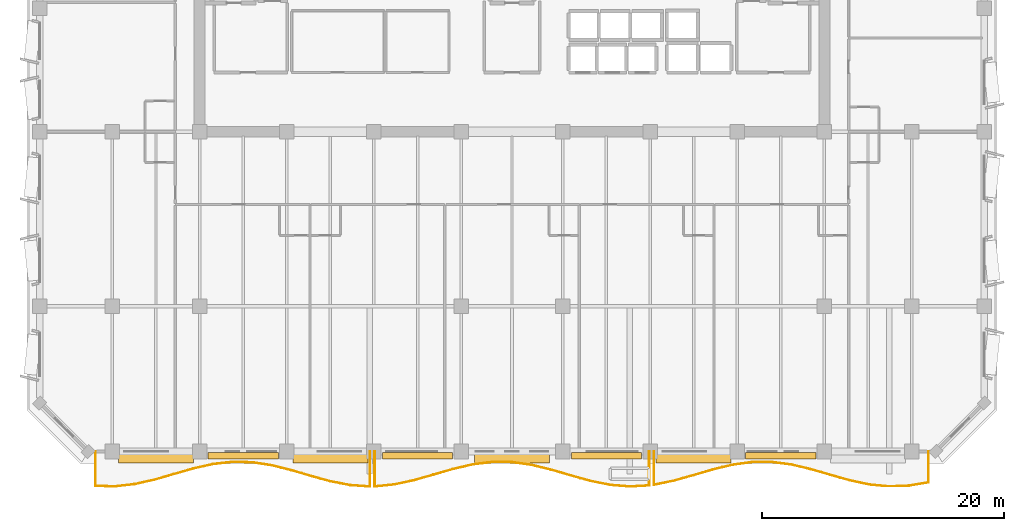
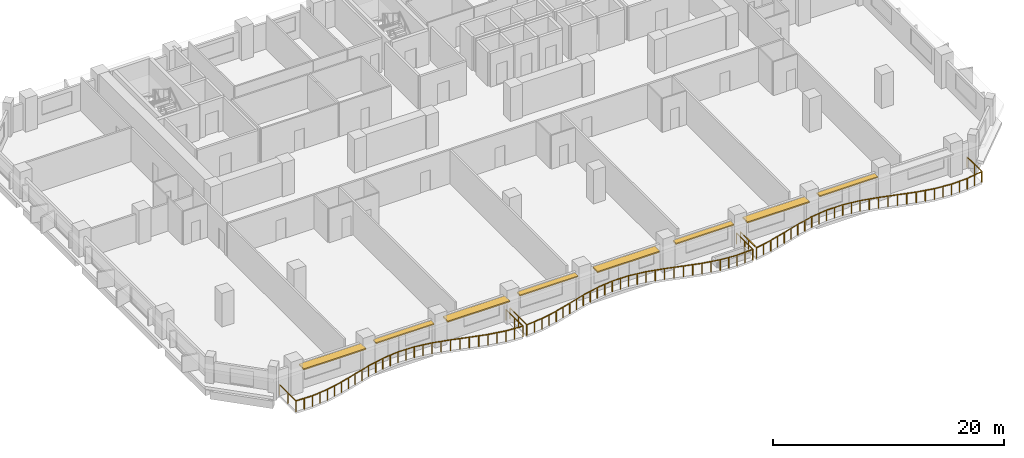
# One storey, part 10 of 14: 8 shading devices, 3 railings.
"""IFC4 building model written with IfcOpenShell, lengths in metres."""

from ifc_helpers import new_model, si_unit, direction, frame, origin, origin_2d, place, context, subcontext, project, spatial, rectangle, extrude, material, layer, layer_set, type_object, element, save


model = new_model("IFC4")

# Units and contexts
model_context = context("Model", 3, precision=1e-05, world=origin(), true_north=direction((0.0, 1.0)))
body_context = subcontext(model_context, "Body", "Model", "MODEL_VIEW")
ifc_project = project(units=[si_unit("LENGTHUNIT", "METRE"), si_unit("AREAUNIT", "SQUARE_METRE"), si_unit("VOLUMEUNIT", "CUBIC_METRE"), si_unit("PLANEANGLEUNIT", "RADIAN"), si_unit("MASSUNIT", "GRAM", prefix="KILO")], contexts=[model_context])

# Site, building, storey
site_placement = place(None, origin())
site = spatial("IfcSite", under=ifc_project, at=site_placement, CompositionType="ELEMENT")
building_placement = place(site_placement, origin())
building = spatial("IfcBuilding", under=site, at=building_placement, Name="Kaelvorn Grand Hotel", CompositionType="ELEMENT")
storey_placement = place(building_placement, frame((0.0, 0.0, 201.550048828125)))
storey = spatial("IfcBuildingStorey", under=building, at=storey_placement, Name="L49", CompositionType="ELEMENT", Elevation=201.550048828125)

# Railings
ifc_material_1 = material(Name="Stainless Steel", Category="steel")
railing_type = type_object("IfcRailingType", Name="RL-BALC-1150", PredefinedType="BALUSTRADE", material=ifc_material_1)
railing_1_placement = place(storey_placement, frame((7.60009765625, 3.0, 0.0)))
element("IfcRailing", 1, at=railing_1_placement, inside=storey, type_object=railing_type, Name="L49 Scalloped Wave Balcony Balustrade GR1-1", PredefinedType="BALUSTRADE", context=body_context, shape_type="SweptSolid", body=[
    extrude(rectangle(XDim=0.048095703125, YDim=0.048095703125, at=origin_2d()), frame((0.0, 0.0, 1.1259765625), z_axis=(0.0, -1.0, 0.0), x_axis=(1.0, 0.0, 0.0)), (0.0, 0.0, 1.0), 2.849853515625),
    extrude(rectangle(XDim=0.048095703125, YDim=0.048095703125, at=origin_2d()), frame((0.0, -2.849853515625, 1.1259765625), z_axis=(0.999730426156, -0.023217989086, 0.0), x_axis=(0.023217989086, 0.999730426156, 0.0)), (0.0, 0.0, 1.0), 1.619384765625),
    extrude(rectangle(XDim=0.048095703125, YDim=0.048095703125, at=origin_2d()), frame((1.618896484375, -2.887451171875, 1.1259765625), z_axis=(0.993682951912, 0.112223843634, 0.0), x_axis=(-0.112223843634, 0.993682951912, 0.0)), (0.0, 0.0, 1.0), 1.62939453125),
    extrude(rectangle(XDim=0.048095703125, YDim=0.048095703125, at=origin_2d()), frame((3.238037109375, -2.70458984375, 1.1259765625), z_axis=(0.975703414812, 0.219095518723, 0.0), x_axis=(-0.219095518723, 0.975703414812, 0.0)), (0.0, 0.0, 1.0), 1.6591796875),
    extrude(rectangle(XDim=0.048095703125, YDim=0.048095703125, at=origin_2d()), frame((4.85693359375, -2.341064453125, 1.1259765625), z_axis=(0.961173148549, 0.275945970271, 0.0), x_axis=(-0.275945970271, 0.961173148549, 0.0)), (0.0, 0.0, 1.0), 1.6845703125),
    extrude(rectangle(XDim=0.048095703125, YDim=0.048095703125, at=origin_2d()), frame((6.47607421875, -1.876220703125, 1.1259765625), z_axis=(0.961096237506, 0.276213725676, 0.0), x_axis=(-0.276213725676, 0.961096237506, 0.0)), (0.0, 0.0, 1.0), 1.6845703125),
    extrude(rectangle(XDim=0.048095703125, YDim=0.048095703125, at=origin_2d()), frame((8.09521484375, -1.410888671875, 1.1259765625), z_axis=(0.975640468592, 0.219375650531, 0.0), x_axis=(-0.219375650531, 0.975640468592, 0.0)), (0.0, 0.0, 1.0), 1.659423828125),
    extrude(rectangle(XDim=0.048095703125, YDim=0.048095703125, at=origin_2d()), frame((9.714111328125, -1.046875, 1.1259765625), z_axis=(0.993615946407, 0.112815562069, 0.0), x_axis=(-0.112815562069, 0.993615946407, 0.0)), (0.0, 0.0, 1.0), 1.629638671875),
    extrude(rectangle(XDim=0.048095703125, YDim=0.048095703125, at=origin_2d()), frame((11.333251953125, -0.863037109375, 1.1259765625), z_axis=(0.999747716334, -0.022461159489, 0.0), x_axis=(0.022461159489, 0.999747716334, 0.0)), (0.0, 0.0, 1.0), 1.61962890625),
    extrude(rectangle(XDim=0.048095703125, YDim=0.048095703125, at=origin_2d()), frame((12.952392578125, -0.8994140625, 1.1259765625), z_axis=(0.988375143725, -0.152034783079, 0.0), x_axis=(0.152034783079, 0.988375143725, 0.0)), (0.0, 0.0, 1.0), 1.637939453125),
    extrude(rectangle(XDim=0.048095703125, YDim=0.048095703125, at=origin_2d()), frame((14.5712890625, -1.1484375, 1.1259765625), z_axis=(0.969797453299, -0.243911663465, 0.0), x_axis=(0.243911663465, 0.969797453299, 0.0)), (0.0, 0.0, 1.0), 1.669677734375),
    extrude(rectangle(XDim=0.048095703125, YDim=0.048095703125, at=origin_2d()), frame((16.1904296875, -1.5556640625, 1.1259765625), z_axis=(0.959298669037, -0.28239345528, 0.0), x_axis=(0.28239345528, 0.959298669037, 0.0)), (0.0, 0.0, 1.0), 1.6875),
    extrude(rectangle(XDim=0.048095703125, YDim=0.048095703125, at=origin_2d()), frame((17.809326171875, -2.0322265625, 1.1259765625), z_axis=(0.964642881797, -0.26356044961, 0.0), x_axis=(0.26356044961, 0.964642881797, 0.0)), (0.0, 0.0, 1.0), 1.678466796875),
    extrude(rectangle(XDim=0.048095703125, YDim=0.048095703125, at=origin_2d()), frame((19.428466796875, -2.474609375, 1.1259765625), z_axis=(0.981934563665, -0.189220804036, 0.0), x_axis=(0.189220804036, 0.981934563665, 0.0)), (0.0, 0.0, 1.0), 1.64892578125),
    extrude(rectangle(XDim=0.048095703125, YDim=0.048095703125, at=origin_2d()), frame((21.047607421875, -2.78662109375, 1.1259765625), z_axis=(0.997560748311, -0.069803677758, 0.0), x_axis=(0.069803677758, 0.997560748311, 0.0)), (0.0, 0.0, 1.0), 1.622802734375),
    extrude(rectangle(XDim=0.048095703125, YDim=0.048095703125, at=origin_2d()), frame((22.66650390625, -2.89990234375, 1.1259765625), z_axis=(0.0, 1.0, 0.0), x_axis=(-1.0, 0.0, 0.0)), (0.0, 0.0, 1.0), 2.89990234375),
    extrude(rectangle(XDim=0.0419921875, YDim=0.0419921875, at=origin_2d()), origin(), (0.0, 0.0, 1.0), 1.101806640625),
    extrude(rectangle(XDim=0.0419921875, YDim=0.0419921875, at=origin_2d()), frame((0.0, -1.4248046875, 0.0)), (0.0, 0.0, 1.0), 1.101806640625),
    extrude(rectangle(XDim=0.0419921875, YDim=0.0419921875, at=origin_2d()), frame((0.0, -2.849853515625, 0.0)), (0.0, 0.0, 1.0), 1.101806640625),
    extrude(rectangle(XDim=0.0419921875, YDim=0.0419921875, at=origin_2d()), frame((0.8095703125, -2.86865234375, 0.0)), (0.0, 0.0, 1.0), 1.101806640625),
    extrude(rectangle(XDim=0.0419921875, YDim=0.0419921875, at=origin_2d()), frame((1.618896484375, -2.887451171875, 0.0)), (0.0, 0.0, 1.0), 1.101806640625),
    extrude(rectangle(XDim=0.0419921875, YDim=0.0419921875, at=origin_2d()), frame((2.428466796875, -2.7958984375, 0.0)), (0.0, 0.0, 1.0), 1.101806640625),
    extrude(rectangle(XDim=0.0419921875, YDim=0.0419921875, at=origin_2d()), frame((3.238037109375, -2.70458984375, 0.0)), (0.0, 0.0, 1.0), 1.101806640625),
    extrude(rectangle(XDim=0.0419921875, YDim=0.0419921875, at=origin_2d()), frame((4.04736328125, -2.52294921875, 0.0)), (0.0, 0.0, 1.0), 1.101806640625),
    extrude(rectangle(XDim=0.0419921875, YDim=0.0419921875, at=origin_2d()), frame((4.85693359375, -2.341064453125, 0.0)), (0.0, 0.0, 1.0), 1.101806640625),
    extrude(rectangle(XDim=0.0419921875, YDim=0.0419921875, at=origin_2d()), frame((5.66650390625, -2.108642578125, 0.0)), (0.0, 0.0, 1.0), 1.101806640625),
    extrude(rectangle(XDim=0.0419921875, YDim=0.0419921875, at=origin_2d()), frame((6.47607421875, -1.876220703125, 0.0)), (0.0, 0.0, 1.0), 1.101806640625),
    extrude(rectangle(XDim=0.0419921875, YDim=0.0419921875, at=origin_2d()), frame((7.28564453125, -1.6435546875, 0.0)), (0.0, 0.0, 1.0), 1.101806640625),
    extrude(rectangle(XDim=0.0419921875, YDim=0.0419921875, at=origin_2d()), frame((8.09521484375, -1.410888671875, 0.0)), (0.0, 0.0, 1.0), 1.101806640625),
    extrude(rectangle(XDim=0.0419921875, YDim=0.0419921875, at=origin_2d()), frame((8.90478515625, -1.22900390625, 0.0)), (0.0, 0.0, 1.0), 1.101806640625),
    extrude(rectangle(XDim=0.0419921875, YDim=0.0419921875, at=origin_2d()), frame((9.714111328125, -1.046875, 0.0)), (0.0, 0.0, 1.0), 1.101806640625),
    extrude(rectangle(XDim=0.0419921875, YDim=0.0419921875, at=origin_2d()), frame((10.523681640625, -0.955078125, 0.0)), (0.0, 0.0, 1.0), 1.101806640625),
    extrude(rectangle(XDim=0.0419921875, YDim=0.0419921875, at=origin_2d()), frame((11.333251953125, -0.863037109375, 0.0)), (0.0, 0.0, 1.0), 1.101806640625),
    extrude(rectangle(XDim=0.0419921875, YDim=0.0419921875, at=origin_2d()), frame((12.142822265625, -0.88134765625, 0.0)), (0.0, 0.0, 1.0), 1.101806640625),
    extrude(rectangle(XDim=0.0419921875, YDim=0.0419921875, at=origin_2d()), frame((12.952392578125, -0.8994140625, 0.0)), (0.0, 0.0, 1.0), 1.101806640625),
    extrude(rectangle(XDim=0.0419921875, YDim=0.0419921875, at=origin_2d()), frame((13.76171875, -1.02392578125, 0.0)), (0.0, 0.0, 1.0), 1.101806640625),
    extrude(rectangle(XDim=0.0419921875, YDim=0.0419921875, at=origin_2d()), frame((14.5712890625, -1.1484375, 0.0)), (0.0, 0.0, 1.0), 1.101806640625),
    extrude(rectangle(XDim=0.0419921875, YDim=0.0419921875, at=origin_2d()), frame((15.380859375, -1.35205078125, 0.0)), (0.0, 0.0, 1.0), 1.101806640625),
    extrude(rectangle(XDim=0.0419921875, YDim=0.0419921875, at=origin_2d()), frame((16.1904296875, -1.5556640625, 0.0)), (0.0, 0.0, 1.0), 1.101806640625),
    extrude(rectangle(XDim=0.0419921875, YDim=0.0419921875, at=origin_2d()), frame((17.0, -1.7939453125, 0.0)), (0.0, 0.0, 1.0), 1.101806640625),
    extrude(rectangle(XDim=0.0419921875, YDim=0.0419921875, at=origin_2d()), frame((17.809326171875, -2.0322265625, 0.0)), (0.0, 0.0, 1.0), 1.101806640625),
    extrude(rectangle(XDim=0.0419921875, YDim=0.0419921875, at=origin_2d()), frame((18.618896484375, -2.25341796875, 0.0)), (0.0, 0.0, 1.0), 1.101806640625),
    extrude(rectangle(XDim=0.0419921875, YDim=0.0419921875, at=origin_2d()), frame((19.428466796875, -2.474609375, 0.0)), (0.0, 0.0, 1.0), 1.101806640625),
    extrude(rectangle(XDim=0.0419921875, YDim=0.0419921875, at=origin_2d()), frame((20.238037109375, -2.630615234375, 0.0)), (0.0, 0.0, 1.0), 1.101806640625),
    extrude(rectangle(XDim=0.0419921875, YDim=0.0419921875, at=origin_2d()), frame((21.047607421875, -2.78662109375, 0.0)), (0.0, 0.0, 1.0), 1.101806640625),
    extrude(rectangle(XDim=0.0419921875, YDim=0.0419921875, at=origin_2d()), frame((21.85693359375, -2.84326171875, 0.0)), (0.0, 0.0, 1.0), 1.101806640625),
    extrude(rectangle(XDim=0.0419921875, YDim=0.0419921875, at=origin_2d()), frame((22.66650390625, -2.89990234375, 0.0)), (0.0, 0.0, 1.0), 1.101806640625),
    extrude(rectangle(XDim=0.0419921875, YDim=0.0419921875, at=origin_2d()), frame((22.66650390625, -1.449951171875, 0.0)), (0.0, 0.0, 1.0), 1.101806640625),
    extrude(rectangle(XDim=0.0419921875, YDim=0.0419921875, at=origin_2d()), frame((22.66650390625, 0.0, 0.0)), (0.0, 0.0, 1.0), 1.101806640625),
])
railing_2_placement = place(storey_placement, frame((30.666748046875, 3.0, 0.0)))
element("IfcRailing", 2, at=railing_2_placement, inside=storey, type_object=railing_type, Name="L49 Scalloped Wave Balcony Balustrade GR1-2", PredefinedType="BALUSTRADE", context=body_context, shape_type="SweptSolid", body=[
    extrude(rectangle(XDim=0.048095703125, YDim=0.048095703125, at=origin_2d()), frame((0.0, 0.0, 1.1259765625), z_axis=(0.0, -1.0, 0.0), x_axis=(1.0, 0.0, 0.0)), (0.0, 0.0, 1.0), 2.8935546875),
    extrude(rectangle(XDim=0.048095703125, YDim=0.048095703125, at=origin_2d()), frame((0.0, -2.8935546875, 1.1259765625), z_axis=(0.994964128671, 0.100231644994, 0.0), x_axis=(-0.100231644994, 0.994964128671, 0.0)), (0.0, 0.0, 1.0), 1.627197265625),
    extrude(rectangle(XDim=0.048095703125, YDim=0.048095703125, at=origin_2d()), frame((1.618896484375, -2.73046875, 1.1259765625), z_axis=(0.977503767455, 0.210917957061, 0.0), x_axis=(-0.210917957061, 0.977503767455, 0.0)), (0.0, 0.0, 1.0), 1.656494140625),
    extrude(rectangle(XDim=0.048095703125, YDim=0.048095703125, at=origin_2d()), frame((3.238037109375, -2.381103515625, 1.1259765625), z_axis=(0.962015046514, 0.272996429062, 0.0), x_axis=(-0.272996429062, 0.962015046514, 0.0)), (0.0, 0.0, 1.0), 1.68310546875),
    extrude(rectangle(XDim=0.048095703125, YDim=0.048095703125, at=origin_2d()), frame((4.857177734375, -1.921630859375, 1.1259765625), z_axis=(0.960389998509, 0.278659381259, 0.0), x_axis=(-0.278659381259, 0.960389998509, 0.0)), (0.0, 0.0, 1.0), 1.685546875),
    extrude(rectangle(XDim=0.048095703125, YDim=0.048095703125, at=origin_2d()), frame((6.47607421875, -1.451904296875, 1.1259765625), z_axis=(0.97385637145, 0.227164627056, 0.0), x_axis=(-0.227164627056, 0.97385637145, 0.0)), (0.0, 0.0, 1.0), 1.66259765625),
    extrude(rectangle(XDim=0.048095703125, YDim=0.048095703125, at=origin_2d()), frame((8.09521484375, -1.07421875, 1.1259765625), z_axis=(0.992220218526, 0.124495132229, 0.0), x_axis=(-0.124495132229, 0.992220218526, 0.0)), (0.0, 0.0, 1.0), 1.631591796875),
    extrude(rectangle(XDim=0.048095703125, YDim=0.048095703125, at=origin_2d()), frame((9.714111328125, -0.87109375, 1.1259765625), z_axis=(0.999954883783, -0.009498968287, 0.0), x_axis=(0.009498968287, 0.999954883783, 0.0)), (0.0, 0.0, 1.0), 1.619140625),
    extrude(rectangle(XDim=0.048095703125, YDim=0.048095703125, at=origin_2d()), frame((11.333251953125, -0.886474609375, 1.1259765625), z_axis=(0.990000183839, -0.141066069621, 0.0), x_axis=(0.141066069621, 0.990000183839, 0.0)), (0.0, 0.0, 1.0), 1.635498046875),
    extrude(rectangle(XDim=0.048095703125, YDim=0.048095703125, at=origin_2d()), frame((12.952392578125, -1.1171875, 1.1259765625), z_axis=(0.971429786171, -0.237327138229, 0.0), x_axis=(0.237327138229, 0.971429786171, 0.0)), (0.0, 0.0, 1.0), 1.66650390625),
    extrude(rectangle(XDim=0.048095703125, YDim=0.048095703125, at=origin_2d()), frame((14.5712890625, -1.5126953125, 1.1259765625), z_axis=(0.959623156728, -0.281288814337, 0.0), x_axis=(0.281288814337, 0.959623156728, 0.0)), (0.0, 0.0, 1.0), 1.687255859375),
    extrude(rectangle(XDim=0.048095703125, YDim=0.048095703125, at=origin_2d()), frame((16.1904296875, -1.9873046875, 1.1259765625), z_axis=(0.963478347778, -0.267786245657, 0.0), x_axis=(0.267786245657, 0.963478347778, 0.0)), (0.0, 0.0, 1.0), 1.68017578125),
    extrude(rectangle(XDim=0.048095703125, YDim=0.048095703125, at=origin_2d()), frame((17.809326171875, -2.437255859375, 1.1259765625), z_axis=(0.980134803691, -0.1983324648, 0.0), x_axis=(0.1983324648, 0.980134803691, 0.0)), (0.0, 0.0, 1.0), 1.65185546875),
    extrude(rectangle(XDim=0.048095703125, YDim=0.048095703125, at=origin_2d()), frame((19.428466796875, -2.764892578125, 1.1259765625), z_axis=(0.996591207216, -0.082498276954, 0.0), x_axis=(0.082498276954, 0.996591207216, 0.0)), (0.0, 0.0, 1.0), 1.624755859375),
    extrude(rectangle(XDim=0.048095703125, YDim=0.048095703125, at=origin_2d()), frame((21.047607421875, -2.89892578125, 1.1259765625), z_axis=(0.998488486101, 0.054961287502, 0.0), x_axis=(-0.054961287502, 0.998488486101, 0.0)), (0.0, 0.0, 1.0), 1.621337890625),
    extrude(rectangle(XDim=0.048095703125, YDim=0.048095703125, at=origin_2d()), frame((22.66650390625, -2.809814453125, 1.1259765625), z_axis=(0.0, 1.0, 0.0), x_axis=(-1.0, 0.0, 0.0)), (0.0, 0.0, 1.0), 2.809814453125),
    extrude(rectangle(XDim=0.0419921875, YDim=0.0419921875, at=origin_2d()), origin(), (0.0, 0.0, 1.0), 1.101806640625),
    extrude(rectangle(XDim=0.0419921875, YDim=0.0419921875, at=origin_2d()), frame((0.0, -1.44677734375, 0.0)), (0.0, 0.0, 1.0), 1.101806640625),
    extrude(rectangle(XDim=0.0419921875, YDim=0.0419921875, at=origin_2d()), frame((0.0, -2.8935546875, 0.0)), (0.0, 0.0, 1.0), 1.101806640625),
    extrude(rectangle(XDim=0.0419921875, YDim=0.0419921875, at=origin_2d()), frame((0.8095703125, -2.81201171875, 0.0)), (0.0, 0.0, 1.0), 1.101806640625),
    extrude(rectangle(XDim=0.0419921875, YDim=0.0419921875, at=origin_2d()), frame((1.618896484375, -2.73046875, 0.0)), (0.0, 0.0, 1.0), 1.101806640625),
    extrude(rectangle(XDim=0.0419921875, YDim=0.0419921875, at=origin_2d()), frame((2.428466796875, -2.5556640625, 0.0)), (0.0, 0.0, 1.0), 1.101806640625),
    extrude(rectangle(XDim=0.0419921875, YDim=0.0419921875, at=origin_2d()), frame((3.238037109375, -2.381103515625, 0.0)), (0.0, 0.0, 1.0), 1.101806640625),
    extrude(rectangle(XDim=0.0419921875, YDim=0.0419921875, at=origin_2d()), frame((4.047607421875, -2.1513671875, 0.0)), (0.0, 0.0, 1.0), 1.101806640625),
    extrude(rectangle(XDim=0.0419921875, YDim=0.0419921875, at=origin_2d()), frame((4.857177734375, -1.921630859375, 0.0)), (0.0, 0.0, 1.0), 1.101806640625),
    extrude(rectangle(XDim=0.0419921875, YDim=0.0419921875, at=origin_2d()), frame((5.66650390625, -1.686767578125, 0.0)), (0.0, 0.0, 1.0), 1.101806640625),
    extrude(rectangle(XDim=0.0419921875, YDim=0.0419921875, at=origin_2d()), frame((6.47607421875, -1.451904296875, 0.0)), (0.0, 0.0, 1.0), 1.101806640625),
    extrude(rectangle(XDim=0.0419921875, YDim=0.0419921875, at=origin_2d()), frame((7.28564453125, -1.26318359375, 0.0)), (0.0, 0.0, 1.0), 1.101806640625),
    extrude(rectangle(XDim=0.0419921875, YDim=0.0419921875, at=origin_2d()), frame((8.09521484375, -1.07421875, 0.0)), (0.0, 0.0, 1.0), 1.101806640625),
    extrude(rectangle(XDim=0.0419921875, YDim=0.0419921875, at=origin_2d()), frame((8.90478515625, -0.97265625, 0.0)), (0.0, 0.0, 1.0), 1.101806640625),
    extrude(rectangle(XDim=0.0419921875, YDim=0.0419921875, at=origin_2d()), frame((9.714111328125, -0.87109375, 0.0)), (0.0, 0.0, 1.0), 1.101806640625),
    extrude(rectangle(XDim=0.0419921875, YDim=0.0419921875, at=origin_2d()), frame((10.523681640625, -0.87890625, 0.0)), (0.0, 0.0, 1.0), 1.101806640625),
    extrude(rectangle(XDim=0.0419921875, YDim=0.0419921875, at=origin_2d()), frame((11.333251953125, -0.886474609375, 0.0)), (0.0, 0.0, 1.0), 1.101806640625),
    extrude(rectangle(XDim=0.0419921875, YDim=0.0419921875, at=origin_2d()), frame((12.142822265625, -1.001953125, 0.0)), (0.0, 0.0, 1.0), 1.101806640625),
    extrude(rectangle(XDim=0.0419921875, YDim=0.0419921875, at=origin_2d()), frame((12.952392578125, -1.1171875, 0.0)), (0.0, 0.0, 1.0), 1.101806640625),
    extrude(rectangle(XDim=0.0419921875, YDim=0.0419921875, at=origin_2d()), frame((13.76171875, -1.31494140625, 0.0)), (0.0, 0.0, 1.0), 1.101806640625),
    extrude(rectangle(XDim=0.0419921875, YDim=0.0419921875, at=origin_2d()), frame((14.5712890625, -1.5126953125, 0.0)), (0.0, 0.0, 1.0), 1.101806640625),
    extrude(rectangle(XDim=0.0419921875, YDim=0.0419921875, at=origin_2d()), frame((15.380859375, -1.75, 0.0)), (0.0, 0.0, 1.0), 1.101806640625),
    extrude(rectangle(XDim=0.0419921875, YDim=0.0419921875, at=origin_2d()), frame((16.1904296875, -1.9873046875, 0.0)), (0.0, 0.0, 1.0), 1.101806640625),
    extrude(rectangle(XDim=0.0419921875, YDim=0.0419921875, at=origin_2d()), frame((17.0, -2.21240234375, 0.0)), (0.0, 0.0, 1.0), 1.101806640625),
    extrude(rectangle(XDim=0.0419921875, YDim=0.0419921875, at=origin_2d()), frame((17.809326171875, -2.437255859375, 0.0)), (0.0, 0.0, 1.0), 1.101806640625),
    extrude(rectangle(XDim=0.0419921875, YDim=0.0419921875, at=origin_2d()), frame((18.618896484375, -2.60107421875, 0.0)), (0.0, 0.0, 1.0), 1.101806640625),
    extrude(rectangle(XDim=0.0419921875, YDim=0.0419921875, at=origin_2d()), frame((19.428466796875, -2.764892578125, 0.0)), (0.0, 0.0, 1.0), 1.101806640625),
    extrude(rectangle(XDim=0.0419921875, YDim=0.0419921875, at=origin_2d()), frame((20.238037109375, -2.83203125, 0.0)), (0.0, 0.0, 1.0), 1.101806640625),
    extrude(rectangle(XDim=0.0419921875, YDim=0.0419921875, at=origin_2d()), frame((21.047607421875, -2.89892578125, 0.0)), (0.0, 0.0, 1.0), 1.101806640625),
    extrude(rectangle(XDim=0.0419921875, YDim=0.0419921875, at=origin_2d()), frame((21.85693359375, -2.8544921875, 0.0)), (0.0, 0.0, 1.0), 1.101806640625),
    extrude(rectangle(XDim=0.0419921875, YDim=0.0419921875, at=origin_2d()), frame((22.66650390625, -2.809814453125, 0.0)), (0.0, 0.0, 1.0), 1.101806640625),
    extrude(rectangle(XDim=0.0419921875, YDim=0.0419921875, at=origin_2d()), frame((22.66650390625, -1.40478515625, 0.0)), (0.0, 0.0, 1.0), 1.101806640625),
    extrude(rectangle(XDim=0.0419921875, YDim=0.0419921875, at=origin_2d()), frame((22.66650390625, 0.0, 0.0)), (0.0, 0.0, 1.0), 1.101806640625),
])
railing_3_placement = place(storey_placement, frame((53.7333984375, 3.0, 0.0)))
element("IfcRailing", 3, at=railing_3_placement, inside=storey, type_object=railing_type, Name="L49 Scalloped Wave Balcony Balustrade GR1-3", PredefinedType="BALUSTRADE", context=body_context, shape_type="SweptSolid", body=[
    extrude(rectangle(XDim=0.048095703125, YDim=0.048095703125, at=origin_2d()), frame((0.0, 0.0, 1.1259765625), z_axis=(0.0, -1.0, 0.0), x_axis=(1.0, 0.0, 0.0)), (0.0, 0.0, 1.0), 2.754638671875),
    extrude(rectangle(XDim=0.048095703125, YDim=0.048095703125, at=origin_2d()), frame((0.0, -2.754638671875, 1.1259765625), z_axis=(0.979316964053, 0.202332112917, 0.0), x_axis=(-0.202332112917, 0.979316964053, 0.0)), (0.0, 0.0, 1.0), 1.653076171875),
    extrude(rectangle(XDim=0.048095703125, YDim=0.048095703125, at=origin_2d()), frame((1.618896484375, -2.420166015625, 1.1259765625), z_axis=(0.962962511693, 0.269635311251, 0.0), x_axis=(-0.269635311251, 0.962962511693, 0.0)), (0.0, 0.0, 1.0), 1.681396484375),
    extrude(rectangle(XDim=0.048095703125, YDim=0.048095703125, at=origin_2d()), frame((3.238037109375, -1.966796875, 1.1259765625), z_axis=(0.959857228362, 0.280489039289, 0.0), x_axis=(-0.280489039289, 0.959857228362, 0.0)), (0.0, 0.0, 1.0), 1.686767578125),
    extrude(rectangle(XDim=0.048095703125, YDim=0.048095703125, at=origin_2d()), frame((4.857177734375, -1.49365234375, 1.1259765625), z_axis=(0.972168625769, 0.234282229525, 0.0), x_axis=(-0.234282229525, 0.972168625769, 0.0)), (0.0, 0.0, 1.0), 1.665283203125),
    extrude(rectangle(XDim=0.048095703125, YDim=0.048095703125, at=origin_2d()), frame((6.47607421875, -1.103515625, 1.1259765625), z_axis=(0.99071710319, 0.135939771397, 0.0), x_axis=(-0.135939771397, 0.99071710319, 0.0)), (0.0, 0.0, 1.0), 1.63427734375),
    extrude(rectangle(XDim=0.048095703125, YDim=0.048095703125, at=origin_2d()), frame((8.09521484375, -0.88134765625, 1.1259765625), z_axis=(0.999993450168, 0.003619339889, 0.0), x_axis=(-0.003619339889, 0.999993450168, 0.0)), (0.0, 0.0, 1.0), 1.618896484375),
    extrude(rectangle(XDim=0.048095703125, YDim=0.048095703125, at=origin_2d()), frame((9.714111328125, -0.87548828125, 1.1259765625), z_axis=(0.991562852546, -0.129626808377, 0.0), x_axis=(0.129626808377, 0.991562852546, 0.0)), (0.0, 0.0, 1.0), 1.6328125),
    extrude(rectangle(XDim=0.048095703125, YDim=0.048095703125, at=origin_2d()), frame((11.333251953125, -1.087158203125, 1.1259765625), z_axis=(0.973071627699, -0.230502944378, 0.0), x_axis=(0.230502944378, 0.973071627699, 0.0)), (0.0, 0.0, 1.0), 1.6640625),
    extrude(rectangle(XDim=0.048095703125, YDim=0.048095703125, at=origin_2d()), frame((12.952392578125, -1.470703125, 1.1259765625), z_axis=(0.960157157306, -0.279460611311, 0.0), x_axis=(0.279460611311, 0.960157157306, 0.0)), (0.0, 0.0, 1.0), 1.68603515625),
    extrude(rectangle(XDim=0.048095703125, YDim=0.048095703125, at=origin_2d()), frame((14.5712890625, -1.94189453125, 1.1259765625), z_axis=(0.962433147184, -0.271518760311, 0.0), x_axis=(0.271518760311, 0.962433147184, 0.0)), (0.0, 0.0, 1.0), 1.682373046875),
    extrude(rectangle(XDim=0.048095703125, YDim=0.048095703125, at=origin_2d()), frame((16.1904296875, -2.398681640625, 1.1259765625), z_axis=(0.978317525264, -0.207110646181, 0.0), x_axis=(0.207110646181, 0.978317525264, 0.0)), (0.0, 0.0, 1.0), 1.655029296875),
    extrude(rectangle(XDim=0.048095703125, YDim=0.048095703125, at=origin_2d()), frame((17.8095703125, -2.741455078125, 1.1259765625), z_axis=(0.995502891633, -0.094731160401, 0.0), x_axis=(0.094731160401, 0.995502891633, 0.0)), (0.0, 0.0, 1.0), 1.626220703125),
    extrude(rectangle(XDim=0.048095703125, YDim=0.048095703125, at=origin_2d()), frame((19.428466796875, -2.8955078125, 1.1259765625), z_axis=(0.999116282636, 0.042031580648, 0.0), x_axis=(-0.042031580648, 0.999116282636, 0.0)), (0.0, 0.0, 1.0), 1.62060546875),
    extrude(rectangle(XDim=0.048095703125, YDim=0.048095703125, at=origin_2d()), frame((21.047607421875, -2.827392578125, 1.1259765625), z_axis=(0.985837909177, 0.167700974446, 0.0), x_axis=(-0.167700974446, 0.985837909177, 0.0)), (0.0, 0.0, 1.0), 1.64208984375),
    extrude(rectangle(XDim=0.048095703125, YDim=0.048095703125, at=origin_2d()), frame((22.66650390625, -2.552001953125, 1.1259765625), z_axis=(0.0, 1.0, 0.0), x_axis=(-1.0, 0.0, 0.0)), (0.0, 0.0, 1.0), 2.552001953125),
    extrude(rectangle(XDim=0.0419921875, YDim=0.0419921875, at=origin_2d()), origin(), (0.0, 0.0, 1.0), 1.101806640625),
    extrude(rectangle(XDim=0.0419921875, YDim=0.0419921875, at=origin_2d()), frame((0.0, -1.37744140625, 0.0)), (0.0, 0.0, 1.0), 1.101806640625),
    extrude(rectangle(XDim=0.0419921875, YDim=0.0419921875, at=origin_2d()), frame((0.0, -2.754638671875, 0.0)), (0.0, 0.0, 1.0), 1.101806640625),
    extrude(rectangle(XDim=0.0419921875, YDim=0.0419921875, at=origin_2d()), frame((0.8095703125, -2.58740234375, 0.0)), (0.0, 0.0, 1.0), 1.101806640625),
    extrude(rectangle(XDim=0.0419921875, YDim=0.0419921875, at=origin_2d()), frame((1.618896484375, -2.420166015625, 0.0)), (0.0, 0.0, 1.0), 1.101806640625),
    extrude(rectangle(XDim=0.0419921875, YDim=0.0419921875, at=origin_2d()), frame((2.428466796875, -2.193359375, 0.0)), (0.0, 0.0, 1.0), 1.101806640625),
    extrude(rectangle(XDim=0.0419921875, YDim=0.0419921875, at=origin_2d()), frame((3.238037109375, -1.966796875, 0.0)), (0.0, 0.0, 1.0), 1.101806640625),
    extrude(rectangle(XDim=0.0419921875, YDim=0.0419921875, at=origin_2d()), frame((4.047607421875, -1.730224609375, 0.0)), (0.0, 0.0, 1.0), 1.101806640625),
    extrude(rectangle(XDim=0.0419921875, YDim=0.0419921875, at=origin_2d()), frame((4.857177734375, -1.49365234375, 0.0)), (0.0, 0.0, 1.0), 1.101806640625),
    extrude(rectangle(XDim=0.0419921875, YDim=0.0419921875, at=origin_2d()), frame((5.66650390625, -1.298583984375, 0.0)), (0.0, 0.0, 1.0), 1.101806640625),
    extrude(rectangle(XDim=0.0419921875, YDim=0.0419921875, at=origin_2d()), frame((6.47607421875, -1.103515625, 0.0)), (0.0, 0.0, 1.0), 1.101806640625),
    extrude(rectangle(XDim=0.0419921875, YDim=0.0419921875, at=origin_2d()), frame((7.28564453125, -0.992431640625, 0.0)), (0.0, 0.0, 1.0), 1.101806640625),
    extrude(rectangle(XDim=0.0419921875, YDim=0.0419921875, at=origin_2d()), frame((8.09521484375, -0.88134765625, 0.0)), (0.0, 0.0, 1.0), 1.101806640625),
    extrude(rectangle(XDim=0.0419921875, YDim=0.0419921875, at=origin_2d()), frame((8.90478515625, -0.87841796875, 0.0)), (0.0, 0.0, 1.0), 1.101806640625),
    extrude(rectangle(XDim=0.0419921875, YDim=0.0419921875, at=origin_2d()), frame((9.714111328125, -0.87548828125, 0.0)), (0.0, 0.0, 1.0), 1.101806640625),
    extrude(rectangle(XDim=0.0419921875, YDim=0.0419921875, at=origin_2d()), frame((10.523681640625, -0.9814453125, 0.0)), (0.0, 0.0, 1.0), 1.101806640625),
    extrude(rectangle(XDim=0.0419921875, YDim=0.0419921875, at=origin_2d()), frame((11.333251953125, -1.087158203125, 0.0)), (0.0, 0.0, 1.0), 1.101806640625),
    extrude(rectangle(XDim=0.0419921875, YDim=0.0419921875, at=origin_2d()), frame((12.142822265625, -1.27880859375, 0.0)), (0.0, 0.0, 1.0), 1.101806640625),
    extrude(rectangle(XDim=0.0419921875, YDim=0.0419921875, at=origin_2d()), frame((12.952392578125, -1.470703125, 0.0)), (0.0, 0.0, 1.0), 1.101806640625),
    extrude(rectangle(XDim=0.0419921875, YDim=0.0419921875, at=origin_2d()), frame((13.76171875, -1.706298828125, 0.0)), (0.0, 0.0, 1.0), 1.101806640625),
    extrude(rectangle(XDim=0.0419921875, YDim=0.0419921875, at=origin_2d()), frame((14.5712890625, -1.94189453125, 0.0)), (0.0, 0.0, 1.0), 1.101806640625),
    extrude(rectangle(XDim=0.0419921875, YDim=0.0419921875, at=origin_2d()), frame((15.380859375, -2.17041015625, 0.0)), (0.0, 0.0, 1.0), 1.101806640625),
    extrude(rectangle(XDim=0.0419921875, YDim=0.0419921875, at=origin_2d()), frame((16.1904296875, -2.398681640625, 0.0)), (0.0, 0.0, 1.0), 1.101806640625),
    extrude(rectangle(XDim=0.0419921875, YDim=0.0419921875, at=origin_2d()), frame((17.0, -2.570068359375, 0.0)), (0.0, 0.0, 1.0), 1.101806640625),
    extrude(rectangle(XDim=0.0419921875, YDim=0.0419921875, at=origin_2d()), frame((17.8095703125, -2.741455078125, 0.0)), (0.0, 0.0, 1.0), 1.101806640625),
    extrude(rectangle(XDim=0.0419921875, YDim=0.0419921875, at=origin_2d()), frame((18.619140625, -2.818359375, 0.0)), (0.0, 0.0, 1.0), 1.101806640625),
    extrude(rectangle(XDim=0.0419921875, YDim=0.0419921875, at=origin_2d()), frame((19.428466796875, -2.8955078125, 0.0)), (0.0, 0.0, 1.0), 1.101806640625),
    extrude(rectangle(XDim=0.0419921875, YDim=0.0419921875, at=origin_2d()), frame((20.238037109375, -2.861328125, 0.0)), (0.0, 0.0, 1.0), 1.101806640625),
    extrude(rectangle(XDim=0.0419921875, YDim=0.0419921875, at=origin_2d()), frame((21.047607421875, -2.827392578125, 0.0)), (0.0, 0.0, 1.0), 1.101806640625),
    extrude(rectangle(XDim=0.0419921875, YDim=0.0419921875, at=origin_2d()), frame((21.85693359375, -2.689697265625, 0.0)), (0.0, 0.0, 1.0), 1.101806640625),
    extrude(rectangle(XDim=0.0419921875, YDim=0.0419921875, at=origin_2d()), frame((22.66650390625, -2.552001953125, 0.0)), (0.0, 0.0, 1.0), 1.101806640625),
    extrude(rectangle(XDim=0.0419921875, YDim=0.0419921875, at=origin_2d()), frame((22.66650390625, -1.27587890625, 0.0)), (0.0, 0.0, 1.0), 1.101806640625),
    extrude(rectangle(XDim=0.0419921875, YDim=0.0419921875, at=origin_2d()), frame((22.66650390625, 0.0, 0.0)), (0.0, 0.0, 1.0), 1.101806640625),
])

# Shading devices
ifc_material_2 = material(Name="Precast concrete C45/55", Category="concrete")
ifc_layer_1 = layer(ifc_material_2, 0.1201171875)
ifc_layer_set_1 = layer_set([ifc_layer_1], Name="Precast concrete C45/55")
shading_device_type_1 = type_object("IfcShadingDeviceType", Name="SHD-SUNSHADE-550", PredefinedType="USERDEFINED", material=ifc_layer_set_1)
for number, where, z_axis, x_axis, name in (
    (4, (19.800048828125, 2.64501953125, 2.559814453125), (0.0, 0.0, 1.0), (1.0, 0.0, 0.0), "L49 Horizontal Concrete Sunshade Band SS-03"),
    (5, (34.199951171875, 2.64501953125, 2.559814453125), (0.0, 0.0, 1.0), (1.0, 0.0, 0.0), "L49 Horizontal Concrete Sunshade Band SS-05"),
    (6, (49.800048828125, 2.64501953125, 2.559814453125), (0.0, 0.0, 1.0), (1.0, 0.0, 0.0), "L49 Horizontal Concrete Sunshade Band SS-07"),
    (7, (64.199951171875, 2.64501953125, 2.559814453125), (0.0, 0.0, 1.0), (1.0, 0.0, 0.0), "L49 Horizontal Concrete Sunshade Band SS-09"),
):
    element("IfcShadingDevice", number, at=place(storey_placement, frame(where, z_axis=z_axis, x_axis=x_axis)), inside=storey, type_object=shading_device_type_1, Name=name, ObjectType="SUNSHADE", PredefinedType="USERDEFINED", context=body_context, shape_type="SweptSolid", body=[
        extrude(rectangle(XDim=5.800048828125, YDim=0.550048828125, at=origin_2d()), origin(), (0.0, 0.0, 1.0), 0.1201171875),
    ])
ifc_layer_2 = layer(ifc_material_2, 0.139892578125)
ifc_layer_set_2 = layer_set([ifc_layer_2], Name="Precast concrete C45/55")
shading_device_type_2 = type_object("IfcShadingDeviceType", Name="SHD-SUNSHADE-850", PredefinedType="USERDEFINED", material=ifc_layer_set_2)
for number, where, z_axis, x_axis, name in (
    (8, (12.60009765625, 2.4951171875, 2.5498046875), (0.0, 0.0, 1.0), (1.0, 0.0, 0.0), "L49 Horizontal Concrete Sunshade Band SS-02"),
    (9, (27.0, 2.4951171875, 2.5498046875), (0.0, 0.0, 1.0), (1.0, 0.0, 0.0), "L49 Horizontal Concrete Sunshade Band SS-04"),
    (10, (42.0, 2.4951171875, 2.5498046875), (0.0, 0.0, 1.0), (1.0, 0.0, 0.0), "L49 Horizontal Concrete Sunshade Band SS-06"),
    (11, (57.0, 2.4951171875, 2.5498046875), (0.0, 0.0, 1.0), (1.0, 0.0, 0.0), "L49 Horizontal Concrete Sunshade Band SS-08"),
):
    element("IfcShadingDevice", number, at=place(storey_placement, frame(where, z_axis=z_axis, x_axis=x_axis)), inside=storey, type_object=shading_device_type_2, Name=name, ObjectType="SUNSHADE", PredefinedType="USERDEFINED", context=body_context, shape_type="SweptSolid", body=[
        extrude(rectangle(XDim=6.199951171875, YDim=0.85009765625, at=origin_2d()), origin(), (0.0, 0.0, 1.0), 0.139892578125),
    ])

save(model, "model.ifc")
